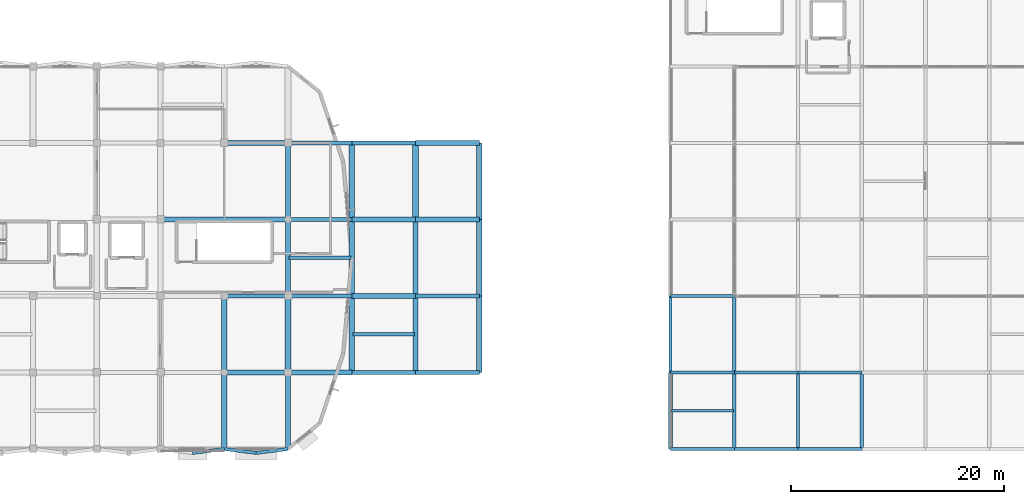
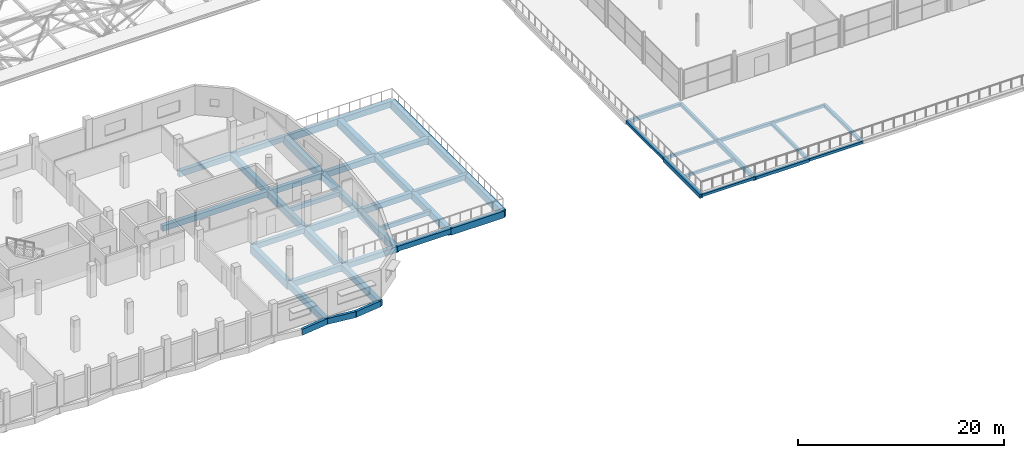
# One storey, part 27 of 239: 50 beams.
"""IFC4 building model written with IfcOpenShell, lengths in metres."""

from ifc_helpers import new_model, si_unit, direction, frame, origin, origin_2d, place, context, subcontext, project, spatial, rectangle, extrude, material, material_profile, profile_set, type_object, element, save


model = new_model("IFC4")

# Units and contexts
model_context = context("Model", 3, precision=1e-05, world=origin(), true_north=direction((0.0, 1.0)))
body_context = subcontext(model_context, "Body", "Model", "MODEL_VIEW")
ifc_project = project(units=[si_unit("LENGTHUNIT", "METRE"), si_unit("AREAUNIT", "SQUARE_METRE"), si_unit("VOLUMEUNIT", "CUBIC_METRE"), si_unit("PLANEANGLEUNIT", "RADIAN"), si_unit("MASSUNIT", "GRAM", prefix="KILO")], contexts=[model_context])

# Site, building, storey
site_placement = place(None, origin())
site = spatial("IfcSite", under=ifc_project, at=site_placement, CompositionType="ELEMENT")
building_placement = place(site_placement, origin())
building = spatial("IfcBuilding", under=site, at=building_placement, Name="Dunvalen Ferry Terminal", CompositionType="ELEMENT")
storey_placement = place(building_placement, frame((0.0, 0.0, 9.840087890625)))
storey = spatial("IfcBuildingStorey", under=building, at=storey_placement, Name="L02", CompositionType="ELEMENT", Elevation=9.840087890625)

# Beams
ifc_material_1 = material(Name="Concrete C35/45", Category="concrete")
ifc_material_profile_1 = material_profile(ifc_material_1, rectangle(XDim=0.300048828125, YDim=0.5, at=origin_2d()), Name="Concrete C35/45")
ifc_profile_set_1 = profile_set([ifc_material_profile_1], Name="Concrete C35/45")
beam_type_1 = type_object("IfcBeamType", Name="STR-BM-RCB500", PredefinedType="JOIST", material=ifc_profile_set_1)
beam_1_placement = place(storey_placement, frame((78.10009765625, 10.800048828125, -0.510009765625), z_axis=(1.0, 0.0, 0.0), x_axis=(0.0, 1.0, 0.0)))
element("IfcBeam", 1, at=beam_1_placement, inside=storey, type_object=beam_type_1, Name="L02 V5P1 Secondary Joist 002", PredefinedType="JOIST", context=body_context, shape_type="SweptSolid", body=[
    extrude(rectangle(XDim=0.300048828125, YDim=0.5, at=origin_2d()), origin(), (0.0, 0.0, 1.0), 5.7998046875),
])
ifc_material_profile_2 = material_profile(ifc_material_1, rectangle(XDim=0.35009765625, YDim=0.5, at=origin_2d()), Name="Concrete C35/45")
ifc_profile_set_2 = profile_set([ifc_material_profile_2], Name="Concrete C35/45")
beam_type_2 = type_object("IfcBeamType", Name="STR-BM-RCB500W", PredefinedType="JOIST", material=ifc_profile_set_2)
beam_2_placement = place(storey_placement, frame((72.10009765625, 18.0, -0.510009765625), z_axis=(1.0, 0.0, 0.0), x_axis=(0.0, 1.0, 0.0)))
element("IfcBeam", 2, at=beam_2_placement, inside=storey, type_object=beam_type_2, Name="L02 V5P1 Secondary Joist 001", PredefinedType="JOIST", context=body_context, shape_type="SweptSolid", body=[
    extrude(rectangle(XDim=0.35009765625, YDim=0.5, at=origin_2d()), origin(), (0.0, 0.0, 1.0), 5.7998046875),
])
for number, where, z_axis, x_axis, name in (
    (3, (108.0, 0.0, -0.530029296875), (0.0, 1.0, 0.0), (-1.0, 0.0, 0.0), "L02 V4 Primary Girder Y-063"),
    (4, (114.0, 0.0, -0.530029296875), (0.0, 1.0, 0.0), (-1.0, 0.0, 0.0), "L02 V4 Primary Girder Y-069"),
):
    element("IfcBeam", number, at=place(storey_placement, frame(where, z_axis=z_axis, x_axis=x_axis)), inside=storey, type_object=beam_type_2, Name=name, PredefinedType="JOIST", context=body_context, shape_type="SweptSolid", body=[
        extrude(rectangle(XDim=0.35009765625, YDim=0.5, at=origin_2d()), origin(), (0.0, 0.0, 1.0), 7.199951171875),
    ])
ifc_material_profile_3 = material_profile(ifc_material_1, rectangle(XDim=0.39990234375, YDim=0.60009765625, at=origin_2d()), Name="Concrete C35/45")
ifc_profile_set_3 = profile_set([ifc_material_profile_3], Name="Concrete C35/45")
beam_type_3 = type_object("IfcBeamType", Name="STR-BM-RCB600", PredefinedType="BEAM", material=ifc_profile_set_3)
for number, where, z_axis, x_axis, name in (
    (5, (66.0, 14.39990234375, -0.56005859375), (1.0, 0.0, 0.0), (0.0, 1.0, 0.0), "L02 V5P0 Primary Beam X-030"),
    (6, (72.0, 21.60009765625, -0.56005859375), (1.0, 0.0, 0.0), (0.0, 1.0, 0.0), "L02 V5P0 Primary Beam X-034"),
    (7, (78.0, 7.199951171875, -0.56005859375), (1.0, 0.0, 0.0), (0.0, 1.0, 0.0), "L02 V5P1 Primary Beam X-002"),
    (8, (84.0, 14.39990234375, -0.56005859375), (1.0, 0.0, 0.0), (0.0, 1.0, 0.0), "L02 V5P1 Primary Beam X-006"),
    (9, (72.0, 28.800048828125, -0.56005859375), (1.0, 0.0, 0.0), (0.0, 1.0, 0.0), "L02 V5P1 Primary Beam X-010"),
):
    element("IfcBeam", number, at=place(storey_placement, frame(where, z_axis=z_axis, x_axis=x_axis)), inside=storey, type_object=beam_type_3, Name=name, PredefinedType="BEAM", context=body_context, shape_type="SweptSolid", body=[
        extrude(rectangle(XDim=0.39990234375, YDim=0.60009765625, at=origin_2d()), origin(), (0.0, 0.0, 1.0), 6.0),
    ])
ifc_material_2 = material(Name="Concrete C40/50", Category="concrete")
ifc_material_profile_4 = material_profile(ifc_material_2, rectangle(XDim=0.449951171875, YDim=0.64990234375, at=origin_2d()), Name="Concrete C40/50")
ifc_profile_set_4 = profile_set([ifc_material_profile_4], Name="Concrete C40/50")
beam_type_4 = type_object("IfcBeamType", Name="STR-BM-RCB650W", PredefinedType="BEAM", material=ifc_profile_set_4)
beam_3_placement = place(storey_placement, frame((60.0, 21.60009765625, -0.585205078125), z_axis=(1.0, 0.0, 0.0), x_axis=(0.0, 1.0, 0.0)))
element("IfcBeam", 10, at=beam_3_placement, inside=storey, type_object=beam_type_4, Name="L02 V5P0 Primary Beam X-033", PredefinedType="BEAM", context=body_context, shape_type="SweptSolid", body=[
    extrude(rectangle(XDim=0.449951171875, YDim=0.64990234375, at=origin_2d()), origin(), (0.0, 0.0, 1.0), 12.0),
])
for number, where, z_axis, x_axis, name in (
    (11, (72.0, 7.199951171875, -0.585205078125), (1.0, 0.0, 0.0), (0.0, 1.0, 0.0), "L02 V5P1 Primary Beam X-001"),
    (12, (78.0, 14.39990234375, -0.585205078125), (1.0, 0.0, 0.0), (0.0, 1.0, 0.0), "L02 V5P1 Primary Beam X-005"),
    (13, (84.0, 21.60009765625, -0.585205078125), (1.0, 0.0, 0.0), (0.0, 1.0, 0.0), "L02 V5P1 Primary Beam X-009"),
):
    element("IfcBeam", number, at=place(storey_placement, frame(where, z_axis=z_axis, x_axis=x_axis)), inside=storey, type_object=beam_type_4, Name=name, PredefinedType="BEAM", context=body_context, shape_type="SweptSolid", body=[
        extrude(rectangle(XDim=0.449951171875, YDim=0.64990234375, at=origin_2d()), origin(), (0.0, 0.0, 1.0), 6.0),
    ])
ifc_material_profile_5 = material_profile(ifc_material_2, rectangle(XDim=0.449951171875, YDim=0.699951171875, at=origin_2d()), Name="Concrete C40/50")
ifc_profile_set_5 = profile_set([ifc_material_profile_5], Name="Concrete C40/50")
beam_type_5 = type_object("IfcBeamType", Name="STR-BM-RCB700", PredefinedType="BEAM", material=ifc_profile_set_5)
for number, where, z_axis, x_axis, name in (
    (14, (66.0, 7.199951171875, -0.610107421875), (1.0, 0.0, 0.0), (0.0, 1.0, 0.0), "L02 V5P0 Primary Beam X-020"),
    (15, (66.0, 28.800048828125, -0.610107421875), (1.0, 0.0, 0.0), (0.0, 1.0, 0.0), "L02 V5P0 Primary Beam X-044"),
    (16, (78.0, 21.60009765625, -0.610107421875), (1.0, 0.0, 0.0), (0.0, 1.0, 0.0), "L02 V5P1 Primary Beam X-008"),
    (17, (84.0, 28.800048828125, -0.610107421875), (1.0, 0.0, 0.0), (0.0, 1.0, 0.0), "L02 V5P1 Primary Beam X-012"),
):
    element("IfcBeam", number, at=place(storey_placement, frame(where, z_axis=z_axis, x_axis=x_axis)), inside=storey, type_object=beam_type_5, Name=name, PredefinedType="BEAM", context=body_context, shape_type="SweptSolid", body=[
        extrude(rectangle(XDim=0.449951171875, YDim=0.699951171875, at=origin_2d()), origin(), (0.0, 0.0, 1.0), 6.0),
    ])
ifc_material_profile_6 = material_profile(ifc_material_2, rectangle(XDim=0.5, YDim=0.75, at=origin_2d()), Name="Concrete C40/50")
ifc_profile_set_6 = profile_set([ifc_material_profile_6], Name="Concrete C40/50")
beam_type_6 = type_object("IfcBeamType", Name="STR-BM-RCB750", PredefinedType="BEAM", material=ifc_profile_set_6)
for number, where, z_axis, x_axis, name in (
    (18, (66.0, 0.0, -0.635009765625), (0.0, 1.0, 0.0), (-1.0, 0.0, 0.0), "L02 V5P0 Primary Girder Y-089"),
    (19, (72.0, 0.0, -0.635009765625), (0.0, 1.0, 0.0), (-1.0, 0.0, 0.0), "L02 V5P0 Primary Girder Y-092"),
    (20, (72.0, 21.60009765625, -0.635009765625), (0.0, 1.0, 0.0), (-1.0, 0.0, 0.0), "L02 V5P0 Primary Girder Y-095"),
):
    element("IfcBeam", number, at=place(storey_placement, frame(where, z_axis=z_axis, x_axis=x_axis)), inside=storey, type_object=beam_type_6, Name=name, PredefinedType="BEAM", context=body_context, shape_type="SweptSolid", body=[
        extrude(rectangle(XDim=0.5, YDim=0.75, at=origin_2d()), origin(), (0.0, 0.0, 1.0), 7.199951171875),
    ])
for number, where, z_axis, x_axis, name in (
    (21, (78.0, 14.39990234375, -0.635009765625), (0.0, 1.0, 0.0), (-1.0, 0.0, 0.0), "L02 V5P1 Primary Girder Y-017"),
    (22, (84.0, 14.39990234375, -0.635009765625), (0.0, 1.0, 0.0), (-1.0, 0.0, 0.0), "L02 V5P1 Primary Girder Y-020"),
    (23, (90.0, 14.39990234375, -0.635009765625), (0.0, 1.0, 0.0), (-1.0, 0.0, 0.0), "L02 V5P1 Primary Girder Y-023"),
):
    element("IfcBeam", number, at=place(storey_placement, frame(where, z_axis=z_axis, x_axis=x_axis)), inside=storey, type_object=beam_type_6, Name=name, PredefinedType="BEAM", context=body_context, shape_type="SweptSolid", body=[
        extrude(rectangle(XDim=0.5, YDim=0.75, at=origin_2d()), origin(), (0.0, 0.0, 1.0), 7.2001953125),
    ])
ifc_material_profile_7 = material_profile(ifc_material_2, rectangle(XDim=0.5, YDim=0.85009765625, at=origin_2d()), Name="Concrete C40/50")
ifc_profile_set_7 = profile_set([ifc_material_profile_7], Name="Concrete C40/50")
beam_type_7 = type_object("IfcBeamType", Name="STR-BM-RCG850", PredefinedType="BEAM", material=ifc_profile_set_7)
beam_4_placement = place(storey_placement, frame((72.0, 14.39990234375, -0.68505859375), z_axis=(0.0, 1.0, 0.0), x_axis=(-1.0, 0.0, 0.0)))
element("IfcBeam", 24, at=beam_4_placement, inside=storey, type_object=beam_type_7, Name="L02 V5P0 Primary Girder Y-094", PredefinedType="BEAM", context=body_context, shape_type="SweptSolid", body=[
    extrude(rectangle(XDim=0.5, YDim=0.85009765625, at=origin_2d()), origin(), (0.0, 0.0, 1.0), 7.2001953125),
])
for number, where, z_axis, x_axis, name in (
    (25, (78.0, 7.199951171875, -0.68505859375), (0.0, 1.0, 0.0), (-1.0, 0.0, 0.0), "L02 V5P1 Primary Girder Y-016"),
    (26, (84.0, 7.199951171875, -0.68505859375), (0.0, 1.0, 0.0), (-1.0, 0.0, 0.0), "L02 V5P1 Primary Girder Y-019"),
    (27, (90.0, 7.199951171875, -0.68505859375), (0.0, 1.0, 0.0), (-1.0, 0.0, 0.0), "L02 V5P1 Primary Girder Y-022"),
):
    element("IfcBeam", number, at=place(storey_placement, frame(where, z_axis=z_axis, x_axis=x_axis)), inside=storey, type_object=beam_type_7, Name=name, PredefinedType="BEAM", context=body_context, shape_type="SweptSolid", body=[
        extrude(rectangle(XDim=0.5, YDim=0.85009765625, at=origin_2d()), origin(), (0.0, 0.0, 1.0), 7.199951171875),
    ])
ifc_material_profile_8 = material_profile(ifc_material_2, rectangle(XDim=0.550048828125, YDim=0.949951171875, at=origin_2d()), Name="Concrete C40/50")
ifc_profile_set_8 = profile_set([ifc_material_profile_8], Name="Concrete C40/50")
beam_type_8 = type_object("IfcBeamType", Name="STR-BM-RCG950", PredefinedType="BEAM", material=ifc_profile_set_8)
for number, where, z_axis, x_axis, name in (
    (28, (66.0, 7.199951171875, -0.735107421875), (0.0, 1.0, 0.0), (-1.0, 0.0, 0.0), "L02 V5P0 Primary Girder Y-090"),
    (29, (72.0, 7.199951171875, -0.735107421875), (0.0, 1.0, 0.0), (-1.0, 0.0, 0.0), "L02 V5P0 Primary Girder Y-093"),
    (30, (78.0, 21.60009765625, -0.735107421875), (0.0, 1.0, 0.0), (-1.0, 0.0, 0.0), "L02 V5P1 Primary Girder Y-018"),
    (31, (84.0, 21.60009765625, -0.735107421875), (0.0, 1.0, 0.0), (-1.0, 0.0, 0.0), "L02 V5P1 Primary Girder Y-021"),
    (32, (90.0, 21.60009765625, -0.735107421875), (0.0, 1.0, 0.0), (-1.0, 0.0, 0.0), "L02 V5P1 Primary Girder Y-024"),
):
    element("IfcBeam", number, at=place(storey_placement, frame(where, z_axis=z_axis, x_axis=x_axis)), inside=storey, type_object=beam_type_8, Name=name, PredefinedType="BEAM", context=body_context, shape_type="SweptSolid", body=[
        extrude(rectangle(XDim=0.550048828125, YDim=0.949951171875, at=origin_2d()), origin(), (0.0, 0.0, 1.0), 7.199951171875),
    ])
ifc_material_profile_9 = material_profile(ifc_material_1, rectangle(XDim=0.25, YDim=0.300048828125, at=origin_2d()), Name="Concrete C35/45")
ifc_profile_set_9 = profile_set([ifc_material_profile_9], Name="Concrete C35/45")
beam_type_9 = type_object("IfcBeamType", Name="STR-BM-RCL300", PredefinedType="LINTEL", material=ifc_profile_set_9)
for number, where, z_axis, x_axis, name in (
    (33, (108.0, 0.0, -0.43017578125), (1.0, 0.0, 0.0), (0.0, 1.0, 0.0), "L02 V4 Primary Beam X-001"),
    (34, (120.0, 0.0, -0.43017578125), (1.0, 0.0, 0.0), (0.0, 1.0, 0.0), "L02 V4 Primary Beam X-003"),
    (35, (108.0, 7.199951171875, -0.43017578125), (1.0, 0.0, 0.0), (0.0, 1.0, 0.0), "L02 V4 Primary Beam X-009"),
    (36, (120.0, 7.199951171875, -0.43017578125), (1.0, 0.0, 0.0), (0.0, 1.0, 0.0), "L02 V4 Primary Beam X-011"),
):
    element("IfcBeam", number, at=place(storey_placement, frame(where, z_axis=z_axis, x_axis=x_axis)), inside=storey, type_object=beam_type_9, Name=name, PredefinedType="LINTEL", context=body_context, shape_type="SweptSolid", body=[
        extrude(rectangle(XDim=0.25, YDim=0.300048828125, at=origin_2d()), origin(), (0.0, 0.0, 1.0), 6.0),
    ])
beam_5_placement = place(storey_placement, frame((108.10009765625, 3.60009765625, -0.43017578125), z_axis=(1.0, 0.0, 0.0), x_axis=(0.0, 1.0, 0.0)))
element("IfcBeam", 37, at=beam_5_placement, inside=storey, type_object=beam_type_9, Name="L02 V4 Secondary Joist 001", PredefinedType="LINTEL", context=body_context, shape_type="SweptSolid", body=[
    extrude(rectangle(XDim=0.25, YDim=0.300048828125, at=origin_2d()), origin(), (0.0, 0.0, 1.0), 5.7998046875),
])
ifc_material_profile_10 = material_profile(ifc_material_2, rectangle(XDim=0.300048828125, YDim=0.35009765625, at=origin_2d()), Name="Concrete C40/50")
ifc_profile_set_10 = profile_set([ifc_material_profile_10], Name="Concrete C40/50")
beam_type_10 = type_object("IfcBeamType", Name="STR-BM-RCL350", PredefinedType="LINTEL", material=ifc_profile_set_10)
for number, where, z_axis, x_axis, name in (
    (38, (114.0, 0.0, -0.455078125), (1.0, 0.0, 0.0), (0.0, 1.0, 0.0), "L02 V4 Primary Beam X-002"),
    (39, (114.0, 7.199951171875, -0.455078125), (1.0, 0.0, 0.0), (0.0, 1.0, 0.0), "L02 V4 Primary Beam X-010"),
    (40, (108.0, 14.39990234375, -0.455078125), (1.0, 0.0, 0.0), (0.0, 1.0, 0.0), "L02 V4 Primary Beam X-018"),
):
    element("IfcBeam", number, at=place(storey_placement, frame(where, z_axis=z_axis, x_axis=x_axis)), inside=storey, type_object=beam_type_10, Name=name, PredefinedType="LINTEL", context=body_context, shape_type="SweptSolid", body=[
        extrude(rectangle(XDim=0.300048828125, YDim=0.35009765625, at=origin_2d()), origin(), (0.0, 0.0, 1.0), 6.0),
    ])
for number, where, z_axis, x_axis, name in (
    (41, (108.0, 7.199951171875, -0.455078125), (0.0, 1.0, 0.0), (-1.0, 0.0, 0.0), "L02 V4 Primary Girder Y-064"),
    (42, (114.0, 7.199951171875, -0.455078125), (0.0, 1.0, 0.0), (-1.0, 0.0, 0.0), "L02 V4 Primary Girder Y-070"),
    (43, (120.0, 0.0, -0.455078125), (0.0, 1.0, 0.0), (-1.0, 0.0, 0.0), "L02 V4 Primary Girder Y-074"),
    (44, (126.0, 0.0, -0.455078125), (0.0, 1.0, 0.0), (-1.0, 0.0, 0.0), "L02 V4 Primary Girder Y-080"),
):
    element("IfcBeam", number, at=place(storey_placement, frame(where, z_axis=z_axis, x_axis=x_axis)), inside=storey, type_object=beam_type_10, Name=name, PredefinedType="LINTEL", context=body_context, shape_type="SweptSolid", body=[
        extrude(rectangle(XDim=0.300048828125, YDim=0.35009765625, at=origin_2d()), origin(), (0.0, 0.0, 1.0), 7.199951171875),
    ])
ifc_material_profile_11 = material_profile(ifc_material_2, rectangle(XDim=0.300048828125, YDim=0.699951171875, at=origin_2d()), Name="Concrete C40/50")
ifc_profile_set_11 = profile_set([ifc_material_profile_11], Name="Concrete C40/50")
beam_type_11 = type_object("IfcBeamType", Name="STR-BM-RCSP700", PredefinedType="SPANDREL", material=ifc_profile_set_11)
for number, where, z_axis, x_axis, name in (
    (45, (63.0, -0.3798828125, -0.610107421875), (0.992077869489, 0.12562444376, 0.0), (-0.12562444376, 0.992077869489, 0.0), "L02 Forecourt Pilaster Spandrel Tie 09.2"),
    (46, (66.0, 0.0, -0.610107421875), (0.992077869489, -0.12562444376, 0.0), (0.12562444376, 0.992077869489, 0.0), "L02 Forecourt Pilaster Spandrel Tie 10.1"),
    (47, (69.0, -0.3798828125, -0.610107421875), (0.992077869489, 0.12562444376, 0.0), (-0.12562444376, 0.992077869489, 0.0), "L02 Forecourt Pilaster Spandrel Tie 10.2"),
):
    element("IfcBeam", number, at=place(storey_placement, frame(where, z_axis=z_axis, x_axis=x_axis)), inside=storey, type_object=beam_type_11, Name=name, PredefinedType="SPANDREL", context=body_context, shape_type="SweptSolid", body=[
        extrude(rectangle(XDim=0.300048828125, YDim=0.699951171875, at=origin_2d()), origin(), (0.0, 0.0, 1.0), 3.02392578125),
    ])
ifc_material_profile_12 = material_profile(ifc_material_2, rectangle(XDim=0.35009765625, YDim=0.800048828125, at=origin_2d()), Name="Concrete C40/50")
ifc_profile_set_12 = profile_set([ifc_material_profile_12], Name="Concrete C40/50")
beam_type_12 = type_object("IfcBeamType", Name="STR-BM-RCSP800", PredefinedType="SPANDREL", material=ifc_profile_set_12)
for number, where, z_axis, x_axis, name in (
    (48, (72.0, 14.39990234375, -0.66015625), (1.0, 0.0, 0.0), (0.0, 1.0, 0.0), "L02 V5P0 Primary Beam X-031"),
    (49, (84.0, 7.199951171875, -0.66015625), (1.0, 0.0, 0.0), (0.0, 1.0, 0.0), "L02 V5P1 Primary Beam X-003"),
    (50, (78.0, 28.800048828125, -0.66015625), (1.0, 0.0, 0.0), (0.0, 1.0, 0.0), "L02 V5P1 Primary Beam X-011"),
):
    element("IfcBeam", number, at=place(storey_placement, frame(where, z_axis=z_axis, x_axis=x_axis)), inside=storey, type_object=beam_type_12, Name=name, PredefinedType="SPANDREL", context=body_context, shape_type="SweptSolid", body=[
        extrude(rectangle(XDim=0.35009765625, YDim=0.800048828125, at=origin_2d()), origin(), (0.0, 0.0, 1.0), 6.0),
    ])

save(model, "model.ifc")
